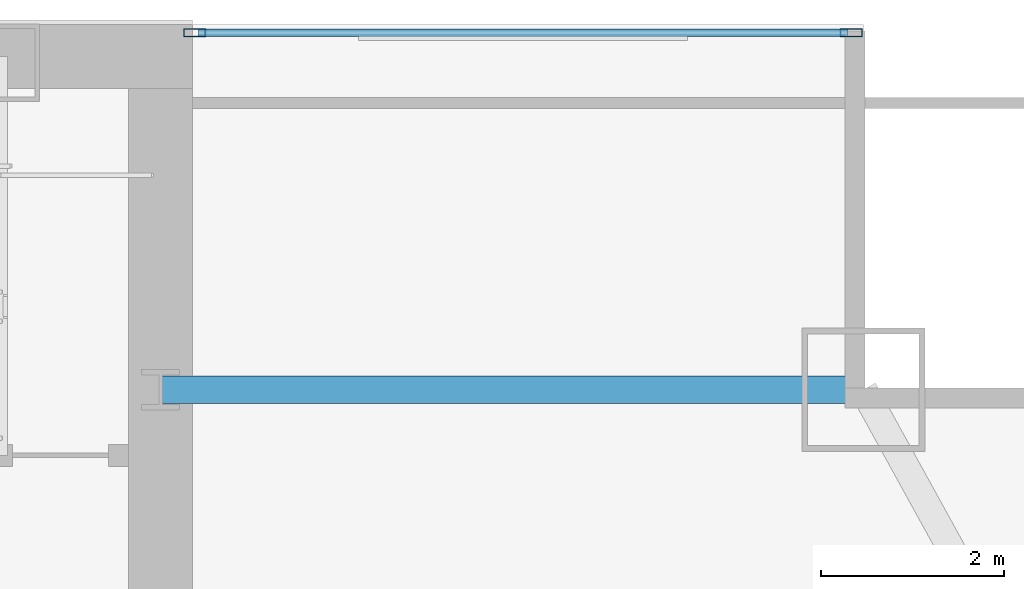
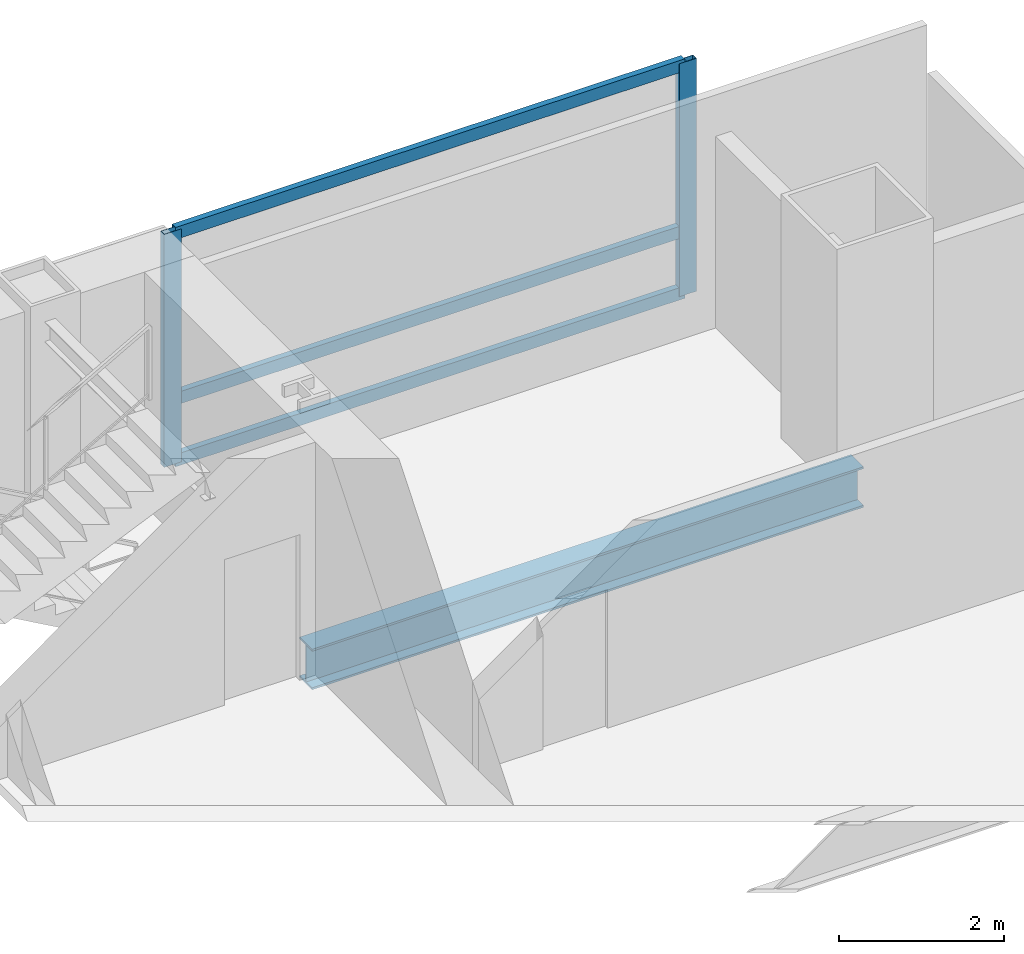
# One storey, part 20 of 29: 5 members, 1 beam, 1 element without a shape of its own.
"""IFC4 building model written with IfcOpenShell, lengths in metres."""

from ifc_helpers import new_model, si_unit, direction, frame, origin, origin_2d, place, context, subcontext, project, spatial, hollow_rectangle, i_section, extrude, material, material_profile, profile_set, type_object, element, aggregate, save


model = new_model("IFC4")

# Units and contexts
model_context = context("Model", 3, precision=1e-05, world=origin(), true_north=direction((0.0, 1.0)))
body_context = subcontext(model_context, "Body", "Model", "MODEL_VIEW")
ifc_project = project(units=[si_unit("LENGTHUNIT", "METRE"), si_unit("AREAUNIT", "SQUARE_METRE"), si_unit("VOLUMEUNIT", "CUBIC_METRE"), si_unit("PLANEANGLEUNIT", "RADIAN"), si_unit("MASSUNIT", "GRAM", prefix="KILO")], contexts=[model_context])

# Site, building, storey
site_placement = place(None, origin())
site = spatial("IfcSite", under=ifc_project, at=site_placement, CompositionType="ELEMENT")
building_placement = place(site_placement, origin())
building = spatial("IfcBuilding", under=site, at=building_placement, Name="Khoronbel Lancet Exchange", CompositionType="ELEMENT")
storey_placement = place(building_placement, frame((0.0, 0.0, 161.39990234375)))
storey = spatial("IfcBuildingStorey", under=building, at=storey_placement, Name="L40", CompositionType="ELEMENT", Elevation=161.39990234375)

# Beam
ifc_material_1 = material(Name="Steel S355", Category="steel")
ifc_material_profile_1 = material_profile(ifc_material_1, i_section(OverallWidth=0.300048828125, OverallDepth=0.60009765625, WebThickness=0.015380859375, FlangeThickness=0.030029296875, at=origin_2d()), Name="HEB 600")
ifc_profile_set_1 = profile_set([ifc_material_profile_1], Name="Steel S355")
beam_type = type_object("IfcBeamType", Name="BM-BSP2", PredefinedType="SPANDREL", material=ifc_profile_set_1)
beam_placement = place(storey_placement, frame((64.050048828125, 49.699951171875, -0.4599609375), z_axis=(-1.0, 0.0, 0.0), x_axis=(0.0, -1.0, 0.0)))
element("IfcBeam", 1, at=beam_placement, inside=storey, type_object=beam_type, Name="Level L40 north flank tie spandrel SP23", PredefinedType="SPANDREL", context=body_context, shape_type="SweptSolid", body=[
    extrude(i_section(OverallWidth=0.300048828125, OverallDepth=0.60009765625, WebThickness=0.015380859375, FlangeThickness=0.030029296875, at=origin_2d()), origin(), (0.0, 0.0, 1.0), 7.699951171875),
])

# Curtain wall, members
ifc_material_2 = material(Name="Low-E Solar Control Insulating Glass", Category="glass")
curtain_wall_type = type_object("IfcCurtainWallType", Name="CW-3", PredefinedType="NOTDEFINED", material=ifc_material_2)
curtain_wall_placement = place(storey_placement, origin())
curtain_wall = element("IfcCurtainWall", 2, at=curtain_wall_placement, inside=storey, type_object=curtain_wall_type, Name="Unitised curtain wall CW-L40-NEFLK", PredefinedType="NOTDEFINED")
ifc_material_3 = material(Name="Bronze-Anodised Aluminium 6063-T6", Category="aluminium")
ifc_material_profile_2 = material_profile(ifc_material_3, hollow_rectangle(XDim=0.0849609375, YDim=0.239990234375, WallThickness=0.006103515625, at=origin_2d()), Name="ALU MULLION 85x240")
ifc_profile_set_2 = profile_set([ifc_material_profile_2], Name="Bronze-Anodised Aluminium 6063-T6")
member_type_1 = type_object("IfcMemberType", Name="MEM-CWM1", PredefinedType="MULLION", material=ifc_profile_set_2)
member_1_placement = place(storey_placement, frame((63.91748046875, 53.610107421875, 0.0), z_axis=(0.0, 0.0, 1.0), x_axis=(0.0, -1.0, 0.0)))
member_1 = element("IfcMember", 3, at=member_1_placement, type_object=member_type_1, Name="CW3 mullion 1", PredefinedType="MULLION", context=body_context, shape_type="SweptSolid", body=[
    extrude(hollow_rectangle(XDim=0.0849609375, YDim=0.239990234375, WallThickness=0.006103515625, at=origin_2d()), origin(), (0.0, 0.0, 1.0), 3.440185546875),
])
member_2_placement = place(storey_placement, frame((56.722412109375, 53.610107421875, 0.0), z_axis=(0.0, 0.0, 1.0), x_axis=(0.0, -1.0, 0.0)))
member_2 = element("IfcMember", 4, at=member_2_placement, type_object=member_type_1, Name="CW3 mullion 2", PredefinedType="MULLION", context=body_context, shape_type="SweptSolid", body=[
    extrude(hollow_rectangle(XDim=0.0849609375, YDim=0.239990234375, WallThickness=0.006103515625, at=origin_2d()), origin(), (0.0, 0.0, 1.0), 3.440185546875),
])
ifc_material_profile_3 = material_profile(ifc_material_3, hollow_rectangle(XDim=0.0849609375, YDim=0.179931640625, WallThickness=0.0048828125, at=origin_2d()), Name="ALU TRANSOM 85x180")
ifc_profile_set_3 = profile_set([ifc_material_profile_3], Name="Bronze-Anodised Aluminium 6063-T6")
member_type_2 = type_object("IfcMemberType", Name="MEM-CWT1", PredefinedType="USERDEFINED", material=ifc_profile_set_3)
member_3_placement = place(storey_placement, frame((63.875, 53.610107421875, 0.04248046875), z_axis=(-1.0, 0.0, 0.0), x_axis=(0.0, -1.0, 0.0)))
member_3 = element("IfcMember", 5, at=member_3_placement, type_object=member_type_2, Name="CW3 transom 1.1", ObjectType="TRANSOM", PredefinedType="USERDEFINED", context=body_context, shape_type="SweptSolid", body=[
    extrude(hollow_rectangle(XDim=0.0849609375, YDim=0.179931640625, WallThickness=0.0048828125, at=origin_2d()), origin(), (0.0, 0.0, 1.0), 7.110107421875),
])
member_4_placement = place(storey_placement, frame((63.875, 53.610107421875, 0.9501953125), z_axis=(-1.0, 0.0, 0.0), x_axis=(0.0, -1.0, 0.0)))
member_4 = element("IfcMember", 6, at=member_4_placement, type_object=member_type_2, Name="CW3 transom 1.2", ObjectType="TRANSOM", PredefinedType="USERDEFINED", context=body_context, shape_type="SweptSolid", body=[
    extrude(hollow_rectangle(XDim=0.0849609375, YDim=0.179931640625, WallThickness=0.0048828125, at=origin_2d()), origin(), (0.0, 0.0, 1.0), 7.110107421875),
])
member_5_placement = place(storey_placement, frame((63.875, 53.610107421875, 3.397705078125), z_axis=(-1.0, 0.0, 0.0), x_axis=(0.0, -1.0, 0.0)))
member_5 = element("IfcMember", 7, at=member_5_placement, type_object=member_type_2, Name="CW3 transom 1.3", ObjectType="TRANSOM", PredefinedType="USERDEFINED", context=body_context, shape_type="SweptSolid", body=[
    extrude(hollow_rectangle(XDim=0.0849609375, YDim=0.179931640625, WallThickness=0.0048828125, at=origin_2d()), origin(), (0.0, 0.0, 1.0), 7.110107421875),
])
aggregate(curtain_wall, [member_1, member_2, member_3, member_4, member_5])

save(model, "model.ifc")
